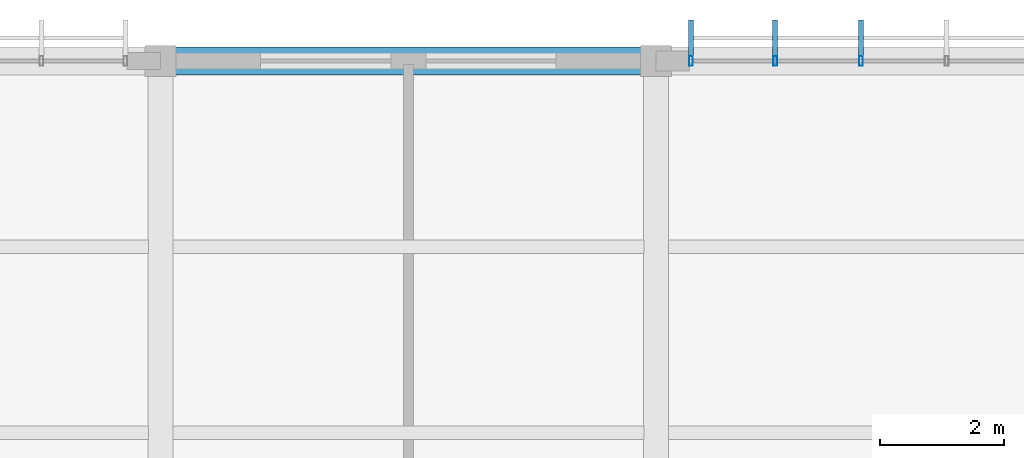
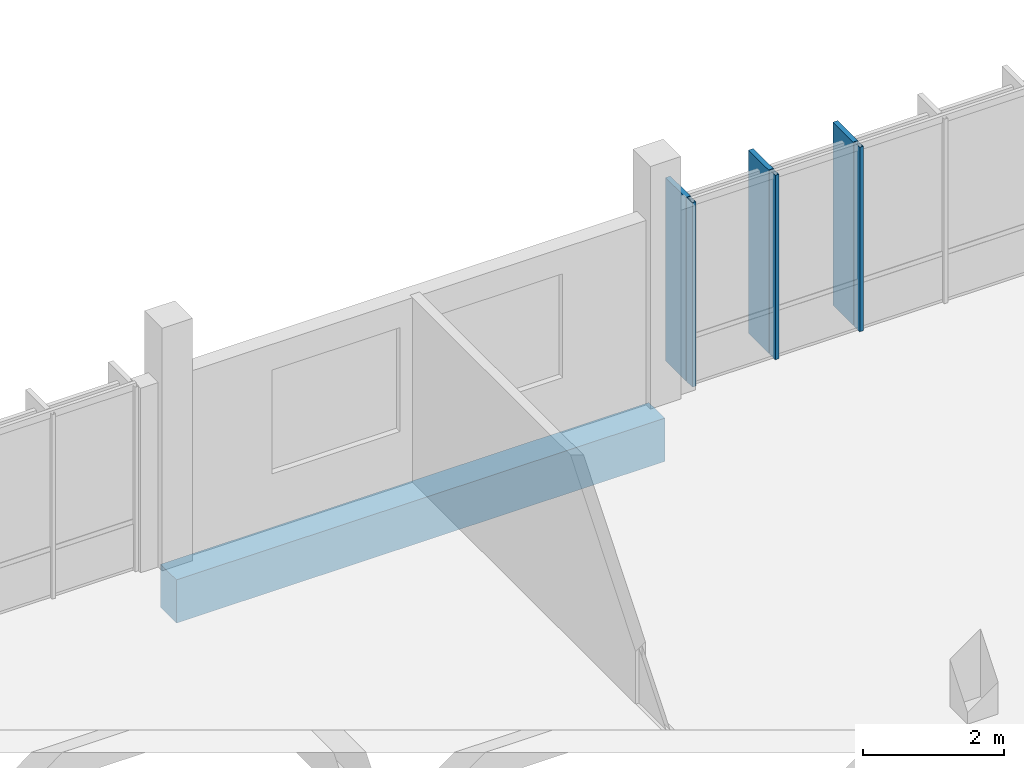
# One storey, part 66 of 107: 6 members, 1 beam, 1 element without a shape of its own.
"""IFC4 building model written with IfcOpenShell, lengths in metres."""

from ifc_helpers import new_model, si_unit, direction, frame, origin, origin_2d, place, context, subcontext, project, spatial, rectangle, hollow_rectangle, extrude, material, material_profile, profile_set, type_object, element, aggregate, save


model = new_model("IFC4")

# Units and contexts
model_context = context("Model", 3, precision=1e-05, world=origin(), true_north=direction((0.0, 1.0)))
body_context = subcontext(model_context, "Body", "Model", "MODEL_VIEW")
ifc_project = project(units=[si_unit("LENGTHUNIT", "METRE"), si_unit("AREAUNIT", "SQUARE_METRE"), si_unit("VOLUMEUNIT", "CUBIC_METRE"), si_unit("PLANEANGLEUNIT", "RADIAN"), si_unit("MASSUNIT", "GRAM", prefix="KILO")], contexts=[model_context])

# Site, building, storey
site_placement = place(None, origin())
site = spatial("IfcSite", under=ifc_project, at=site_placement, CompositionType="ELEMENT")
building_placement = place(site_placement, origin())
building = spatial("IfcBuilding", under=site, at=building_placement, Name="Chiffa Square Polytechnic", CompositionType="ELEMENT")
storey_placement = place(building_placement, frame((0.0, 0.0, 13.800048828125)))
storey = spatial("IfcBuildingStorey", under=building, at=storey_placement, Name="L03", CompositionType="ELEMENT", Elevation=13.800048828125)

# Beam
ifc_material_1 = material(Name="Concrete C35/45", Category="concrete")
ifc_material_profile_1 = material_profile(ifc_material_1, rectangle(XDim=0.449951171875, YDim=0.75, at=origin_2d()), Name="RC 450x750")
ifc_profile_set_1 = profile_set([ifc_material_profile_1], Name="Concrete C35/45")
beam_type = type_object("IfcBeamType", Name="BM-RC-450X750", PredefinedType="BEAM", material=ifc_profile_set_1)
beam_placement = place(storey_placement, frame((32.0, 130.800048828125, -0.635009765625), z_axis=(1.0, 0.0, 0.0), x_axis=(0.0, 1.0, 0.0)))
element("IfcBeam", 1, at=beam_placement, inside=storey, type_object=beam_type, Name="Primary floor girder BM-V5-L03-X-0320-1308", PredefinedType="BEAM", context=body_context, shape_type="SweptSolid", body=[
    extrude(rectangle(XDim=0.449951171875, YDim=0.75, at=origin_2d()), origin(), (0.0, 0.0, 1.0), 8.0),
])

# Curtain wall, members
ifc_material_2 = material(Name="Aluminium EN AW-6060 T66 and glulam shading", Category="wood")
curtain_wall_type = type_object("IfcCurtainWallType", Name="CW-VERT-600X380", PredefinedType="USERDEFINED", material=ifc_material_2)
curtain_wall_placement = place(storey_placement, origin())
curtain_wall = element("IfcCurtainWall", 2, at=curtain_wall_placement, inside=storey, type_object=curtain_wall_type, Name="Curtain wall CW-V5-L03-236", ObjectType="CURTAIN WALL", PredefinedType="USERDEFINED")
ifc_material_3 = material(Name="Aluminium EN AW-6060 T66", Category="aluminium")
ifc_material_profile_2 = material_profile(ifc_material_3, hollow_rectangle(XDim=0.06005859375, YDim=0.159912109375, WallThickness=0.00390625, at=origin_2d()), Name="ALU 60x160x4")
ifc_profile_set_2 = profile_set([ifc_material_profile_2], Name="Aluminium EN AW-6060 T66")
member_type_1 = type_object("IfcMemberType", Name="CWM-ALU-65X150", PredefinedType="MULLION", material=ifc_profile_set_2)
member_1_placement = place(storey_placement, frame((43.30810546875, 130.800048828125, 0.0), z_axis=(0.0, 0.0, 1.0), x_axis=(1.0, 0.0, 0.0)))
member_1 = element("IfcMember", 3, at=member_1_placement, type_object=member_type_1, Name="Curtain wall mullion CW-V5-L03-236-M03", PredefinedType="MULLION", context=body_context, shape_type="SweptSolid", body=[
    extrude(hollow_rectangle(XDim=0.06005859375, YDim=0.159912109375, WallThickness=0.00390625, at=origin_2d()), origin(), (0.0, 0.0, 1.0), 3.195068359375),
])
member_2_placement = place(storey_placement, frame((41.924072265625, 130.800048828125, 0.0), z_axis=(0.0, 0.0, 1.0), x_axis=(1.0, 0.0, 0.0)))
member_2 = element("IfcMember", 4, at=member_2_placement, type_object=member_type_1, Name="Curtain wall mullion CW-V5-L03-236-M04", PredefinedType="MULLION", context=body_context, shape_type="SweptSolid", body=[
    extrude(hollow_rectangle(XDim=0.06005859375, YDim=0.159912109375, WallThickness=0.00390625, at=origin_2d()), origin(), (0.0, 0.0, 1.0), 3.195068359375),
])
member_3_placement = place(storey_placement, frame((40.56494140625, 130.800048828125, 0.0), z_axis=(0.0, 0.0, 1.0), x_axis=(1.0, 0.0, 0.0)))
member_3 = element("IfcMember", 5, at=member_3_placement, type_object=member_type_1, Name="Curtain wall mullion CW-V5-L03-236-M05", PredefinedType="MULLION", context=body_context, shape_type="SweptSolid", body=[
    extrude(hollow_rectangle(XDim=0.06005859375, YDim=0.159912109375, WallThickness=0.00390625, at=origin_2d()), origin(), (0.0, 0.0, 1.0), 3.195068359375),
])
ifc_material_4 = material(Name="Glulam GL28h", Category="wood")
ifc_material_profile_3 = material_profile(ifc_material_4, rectangle(XDim=0.080078125, YDim=0.580078125, at=origin_2d()), Name="GL28h 80x580")
ifc_profile_set_3 = profile_set([ifc_material_profile_3], Name="Glulam GL28h")
member_type_2 = type_object("IfcMemberType", Name="CWM-GL-80X580", PredefinedType="MULLION", material=ifc_profile_set_3)
member_4_placement = place(storey_placement, frame((43.30810546875, 131.172119140625, 0.010009765625), z_axis=(0.0, 0.0, 1.0), x_axis=(-1.0, 0.0, 0.0)))
member_4 = element("IfcMember", 6, at=member_4_placement, type_object=member_type_2, Name="Exterior glulam solar fin CW-V5-L03-236-FN03", PredefinedType="MULLION", context=body_context, shape_type="SweptSolid", body=[
    extrude(rectangle(XDim=0.080078125, YDim=0.580078125, at=origin_2d()), origin(), (0.0, 0.0, 1.0), 3.175048828125),
])
member_5_placement = place(storey_placement, frame((41.924072265625, 131.172119140625, 0.010009765625), z_axis=(0.0, 0.0, 1.0), x_axis=(-1.0, 0.0, 0.0)))
member_5 = element("IfcMember", 7, at=member_5_placement, type_object=member_type_2, Name="Exterior glulam solar fin CW-V5-L03-236-FN04", PredefinedType="MULLION", context=body_context, shape_type="SweptSolid", body=[
    extrude(rectangle(XDim=0.080078125, YDim=0.580078125, at=origin_2d()), origin(), (0.0, 0.0, 1.0), 3.175048828125),
])
member_6_placement = place(storey_placement, frame((40.56494140625, 131.172119140625, 0.010009765625), z_axis=(0.0, 0.0, 1.0), x_axis=(-1.0, 0.0, 0.0)))
member_6 = element("IfcMember", 8, at=member_6_placement, type_object=member_type_2, Name="Exterior glulam solar fin CW-V5-L03-236-FN05", PredefinedType="MULLION", context=body_context, shape_type="SweptSolid", body=[
    extrude(rectangle(XDim=0.080078125, YDim=0.580078125, at=origin_2d()), origin(), (0.0, 0.0, 1.0), 3.175048828125),
])
aggregate(curtain_wall, [member_1, member_4, member_2, member_5, member_3, member_6])

save(model, "model.ifc")
